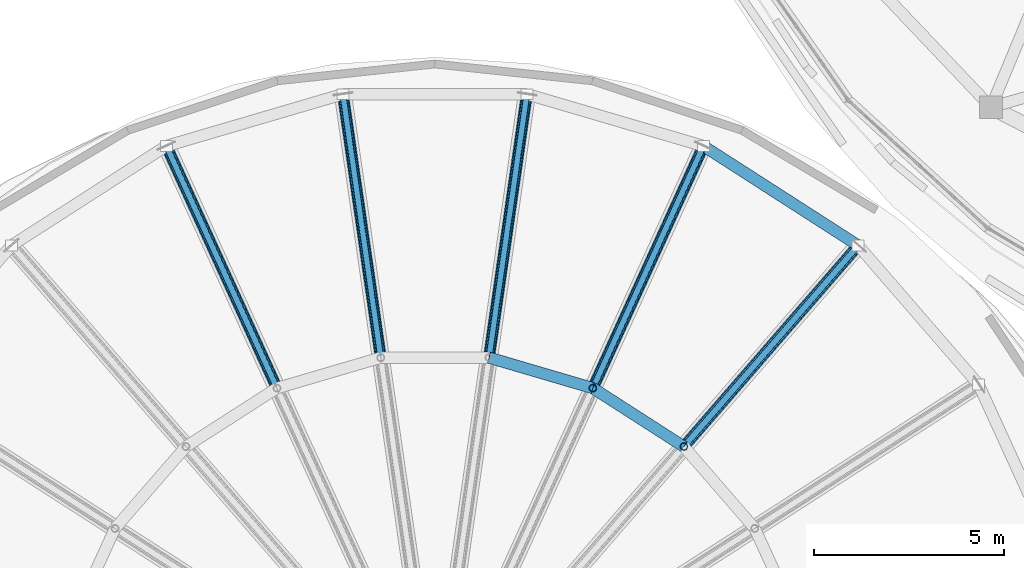
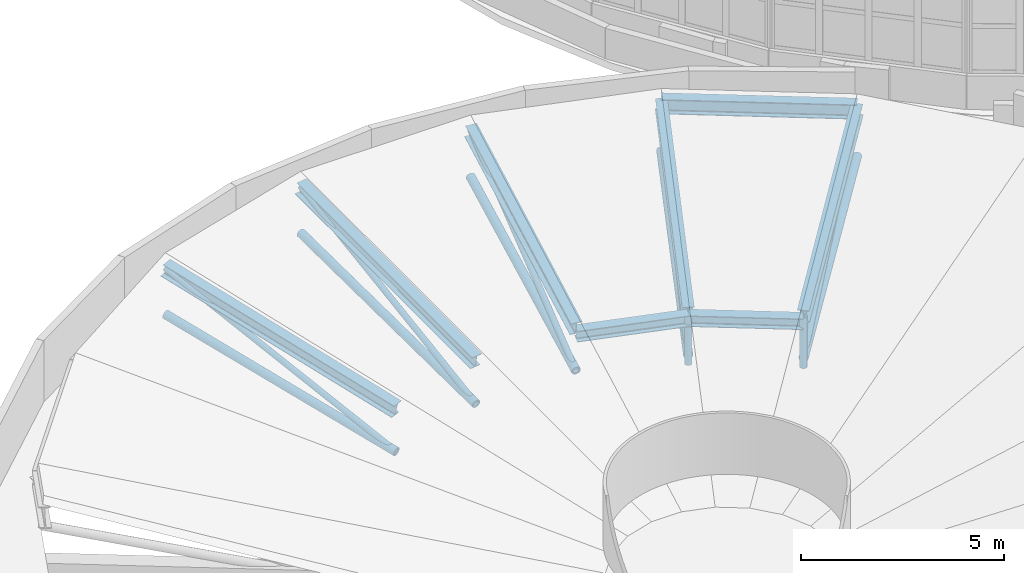
# One storey, part 9 of 69: 17 members, 3 beams.
"""IFC4 building model written with IfcOpenShell, lengths in metres."""

from ifc_helpers import new_model, si_unit, direction, frame, origin, origin_2d, place, context, subcontext, project, spatial, hollow_circle, i_section, extrude, material, material_profile, profile_set, type_object, element, save


model = new_model("IFC4")

# Units and contexts
model_context = context("Model", 3, precision=1e-05, world=origin(), true_north=direction((0.0, 1.0)))
body_context = subcontext(model_context, "Body", "Model", "MODEL_VIEW")
ifc_project = project(units=[si_unit("LENGTHUNIT", "METRE"), si_unit("AREAUNIT", "SQUARE_METRE"), si_unit("VOLUMEUNIT", "CUBIC_METRE"), si_unit("PLANEANGLEUNIT", "RADIAN"), si_unit("MASSUNIT", "GRAM", prefix="KILO")], contexts=[model_context])

# Site, building, storey
site_placement = place(None, origin())
site = spatial("IfcSite", under=ifc_project, at=site_placement, CompositionType="ELEMENT")
building_placement = place(site_placement, origin())
building = spatial("IfcBuilding", under=site, at=building_placement, Name="Pelvatis Terrace Science Centre", CompositionType="ELEMENT")
storey_placement = place(building_placement, frame((0.0, 0.0, 15.0)))
storey = spatial("IfcBuildingStorey", under=building, at=storey_placement, Name="L03", CompositionType="ELEMENT", Elevation=15.0)

# Beams
ifc_material_1 = material(Name="Structural steel S355", Category="steel")
ifc_material_profile_1 = material_profile(ifc_material_1, i_section(OverallWidth=0.300048828125, OverallDepth=0.330078125, WebThickness=0.009521484375, FlangeThickness=0.0166015625, FilletRadius=0.027099609375, at=origin_2d()), Name="HEA 340")
ifc_profile_set_1 = profile_set([ifc_material_profile_1], Name="Structural steel S355")
beam_type_1 = type_object("IfcBeamType", Name="BM-STL-HEA340", PredefinedType="BEAM", material=ifc_profile_set_1)
beam_1_placement = place(storey_placement, frame((84.548583984375, 62.157470703125, -0.179931640625), z_axis=(-0.841236998523, 0.540666544477, 0.0), x_axis=(-0.540666544477, -0.841236998523, 0.0)))
element("IfcBeam", 1, at=beam_1_placement, inside=storey, type_object=beam_type_1, Name="Bowl roof circumferential mid member 04", PredefinedType="BEAM", context=body_context, shape_type="SweptSolid", body=[
    extrude(i_section(OverallWidth=0.300048828125, OverallDepth=0.330078125, WebThickness=0.009521484375, FlangeThickness=0.0166015625, FilletRadius=0.027099609375, at=origin_2d()), origin(), (0.0, 0.0, 1.0), 2.84619140625),
])
beam_2_placement = place(storey_placement, frame((82.154296875, 63.6962890625, -0.179931640625), z_axis=(-0.959488326689, 0.281748382334, 0.0), x_axis=(-0.281748382334, -0.959488326689, 0.0)))
element("IfcBeam", 2, at=beam_2_placement, inside=storey, type_object=beam_type_1, Name="Bowl roof circumferential mid member 05", PredefinedType="BEAM", context=body_context, shape_type="SweptSolid", body=[
    extrude(i_section(OverallWidth=0.300048828125, OverallDepth=0.330078125, WebThickness=0.009521484375, FlangeThickness=0.0166015625, FilletRadius=0.027099609375, at=origin_2d()), origin(), (0.0, 0.0, 1.0), 2.846435546875),
])
ifc_material_2 = material(Name="Structural steel S355", Category="steel")
ifc_material_profile_2 = material_profile(ifc_material_2, i_section(OverallWidth=0.300048828125, OverallDepth=0.43994140625, WebThickness=0.011474609375, FlangeThickness=0.02099609375, FilletRadius=0.027099609375, at=origin_2d()), Name="HEA 450")
ifc_profile_set_2 = profile_set([ifc_material_profile_2], Name="Structural steel S355")
beam_type_2 = type_object("IfcBeamType", Name="BM-STL-HEA450", PredefinedType="BEAM", material=ifc_profile_set_2)
beam_3_placement = place(storey_placement, frame((89.132568359375, 67.44775390625, 1.39990234375), z_axis=(-0.841255517216, 0.540637729681, 0.0), x_axis=(-0.540637729681, -0.841255517216, 0.0)))
element("IfcBeam", 3, at=beam_3_placement, inside=storey, type_object=beam_type_2, Name="Bowl roof circumferential out member 04", PredefinedType="BEAM", context=body_context, shape_type="SweptSolid", body=[
    extrude(i_section(OverallWidth=0.300048828125, OverallDepth=0.43994140625, WebThickness=0.011474609375, FlangeThickness=0.02099609375, FilletRadius=0.027099609375, at=origin_2d()), origin(), (0.0, 0.0, 1.0), 4.838623046875),
])

# Members
ifc_material_3 = material(Name="Structural steel S355", Category="steel")
ifc_material_profile_3 = material_profile(ifc_material_3, hollow_circle(Radius=0.084228515625, WallThickness=0.00634765625, at=origin_2d()), Name="CHS 168.3x6.3")
ifc_profile_set_3 = profile_set([ifc_material_profile_3], Name="Structural steel S355")
member_type_1 = type_object("IfcMemberType", Name="MEM-BRC-CHS168", PredefinedType="BRACE", material=ifc_profile_set_3)
for number, where, z_axis, x_axis, name in (
    (4, (89.132568359375, 67.44775390625, 1.39990234375), (-0.610982099152, -0.705122023143, -0.359866373803), (0.755754672976, -0.654854849776, 0.0), "Bowl truss web brace 04.3"),
    (5, (85.06201171875, 70.063720703125, 1.39990234375), (-0.387561918933, -0.848698774784, -0.359869627328), (0.909642454288, -0.41539211037, 0.0), "Bowl truss web brace 05.3"),
    (6, (80.41943359375, 71.427001953125, 1.39990234375), (-0.132798479527, -0.923504251156, -0.359867283775), (0.989818631349, -0.142334384585, 0.0), "Bowl truss web brace 06.3"),
    (7, (75.58056640625, 71.427001953125, 1.39990234375), (0.132798479527, -0.923504251156, -0.359867283775), (0.989818631349, 0.142334384585, 0.0), "Bowl truss web brace 07.3"),
    (8, (70.93798828125, 70.063720703125, 1.39990234375), (0.387561918933, -0.848698774784, -0.359869627328), (0.909642454288, 0.41539211037, 0.0), "Bowl truss web brace 08.3"),
):
    element("IfcMember", number, at=place(storey_placement, frame(where, z_axis=z_axis, x_axis=x_axis)), inside=storey, type_object=member_type_1, Name=name, PredefinedType="BRACE", context=body_context, shape_type="SweptSolid", body=[
        extrude(hollow_circle(Radius=0.084228515625, WallThickness=0.00634765625, at=origin_2d()), origin(), (0.0, 0.0, 1.0), 7.502685546875),
    ])
ifc_material_4 = material(Name="Structural steel S355", Category="steel")
ifc_material_profile_4 = material_profile(ifc_material_4, hollow_circle(Radius=0.122314453125, WallThickness=0.010009765625, at=origin_2d()), Name="CHS 244.5x10.0")
ifc_profile_set_4 = profile_set([ifc_material_profile_4], Name="Structural steel S355")
member_type_2 = type_object("IfcMemberType", Name="MEM-CHD-CHS244", PredefinedType="CHORD", material=ifc_profile_set_4)
for number, where, z_axis, x_axis, name in (
    (9, (89.132568359375, 67.44775390625, 0.0), (-0.643845107793, -0.743048553513, -0.182598806934), (0.755754672976, -0.654854849776, 0.0), "Bowl truss outer bottom chord 04"),
    (10, (85.06201171875, 70.063720703125, 0.0), (-0.40840819237, -0.894348788011, -0.182600640166), (0.909642454288, -0.41539211037, 0.0), "Bowl truss outer bottom chord 05"),
    (11, (80.41943359375, 71.427001953125, 0.0), (-0.139941375316, -0.973177219181, -0.182599319667), (0.989818631349, -0.142334384585, 0.0), "Bowl truss outer bottom chord 06"),
    (12, (75.58056640625, 71.427001953125, 0.0), (0.139941375316, -0.973177219181, -0.182599319667), (0.989818631349, 0.142334384585, 0.0), "Bowl truss outer bottom chord 07"),
    (13, (70.93798828125, 70.063720703125, 0.0), (0.40840819237, -0.894348788011, -0.182600640166), (0.909642454288, 0.41539211037, 0.0), "Bowl truss outer bottom chord 08"),
):
    element("IfcMember", number, at=place(storey_placement, frame(where, z_axis=z_axis, x_axis=x_axis)), inside=storey, type_object=member_type_2, Name=name, PredefinedType="CHORD", context=body_context, shape_type="SweptSolid", body=[
        extrude(hollow_circle(Radius=0.122314453125, WallThickness=0.010009765625, at=origin_2d()), origin(), (0.0, 0.0, 1.0), 7.11962890625),
    ])
ifc_material_5 = material(Name="Structural steel S355", Category="steel")
ifc_material_profile_5 = material_profile(ifc_material_5, i_section(OverallWidth=0.300048828125, OverallDepth=0.389892578125, WebThickness=0.010986328125, FlangeThickness=0.01904296875, FilletRadius=0.027099609375, at=origin_2d()), Name="HEA 400")
ifc_profile_set_5 = profile_set([ifc_material_profile_5], Name="Structural steel S355")
member_type_3 = type_object("IfcMemberType", Name="MEM-CHD-HEA400", PredefinedType="CHORD", material=ifc_profile_set_5)
for number, where, z_axis, x_axis, name in (
    (14, (89.132568359375, 67.44775390625, 1.39990234375), (-0.641784360423, -0.740670286856, -0.198797285909), (0.755754672976, -0.654854849776, 0.0), "Bowl truss outer top chord 04"),
    (15, (85.06201171875, 70.063720703125, 1.39990234375), (-0.407100979011, -0.891486199293, -0.198799269011), (0.909642454288, -0.41539211037, 0.0), "Bowl truss outer top chord 05"),
    (16, (80.41943359375, 71.427001953125, 1.39990234375), (-0.139493464119, -0.970062365035, -0.198797840558), (0.989818631349, -0.142334384585, 0.0), "Bowl truss outer top chord 06"),
    (17, (75.58056640625, 71.427001953125, 1.39990234375), (0.139493464119, -0.970062365035, -0.198797840558), (0.989818631349, 0.142334384585, 0.0), "Bowl truss outer top chord 07"),
    (18, (70.93798828125, 70.063720703125, 1.39990234375), (0.407100979011, -0.891486199293, -0.198799269011), (0.909642454288, 0.41539211037, 0.0), "Bowl truss outer top chord 08"),
):
    element("IfcMember", number, at=place(storey_placement, frame(where, z_axis=z_axis, x_axis=x_axis)), inside=storey, type_object=member_type_3, Name=name, PredefinedType="CHORD", context=body_context, shape_type="SweptSolid", body=[
        extrude(i_section(OverallWidth=0.300048828125, OverallDepth=0.389892578125, WebThickness=0.010986328125, FlangeThickness=0.01904296875, FilletRadius=0.027099609375, at=origin_2d()), origin(), (0.0, 0.0, 1.0), 7.142578125),
    ])
ifc_material_6 = material(Name="Structural steel S355", Category="steel")
ifc_material_profile_6 = material_profile(ifc_material_6, hollow_circle(Radius=0.096923828125, WallThickness=0.008056640625, at=origin_2d()), Name="CHS 193.7x8.0")
ifc_profile_set_6 = profile_set([ifc_material_profile_6], Name="Structural steel S355")
member_type_4 = type_object("IfcMemberType", Name="MEM-STR-CHS194", PredefinedType="STRUT", material=ifc_profile_set_6)
for number, where, z_axis, x_axis, name in (
    (19, (84.548583984375, 62.157470703125, -1.550048828125), (0.0, 0.0, 1.0), (1.0, 0.0, 0.0), "Bowl truss mid vertical post 04"),
    (20, (82.154296875, 63.6962890625, -1.550048828125), (0.0, 0.0, 1.0), (1.0, 0.0, 0.0), "Bowl truss mid vertical post 05"),
):
    element("IfcMember", number, at=place(storey_placement, frame(where, z_axis=z_axis, x_axis=x_axis)), inside=storey, type_object=member_type_4, Name=name, PredefinedType="STRUT", context=body_context, shape_type="SweptSolid", body=[
        extrude(hollow_circle(Radius=0.096923828125, WallThickness=0.008056640625, at=origin_2d()), origin(), (0.0, 0.0, 1.0), 1.530029296875),
    ])

save(model, "model.ifc")
